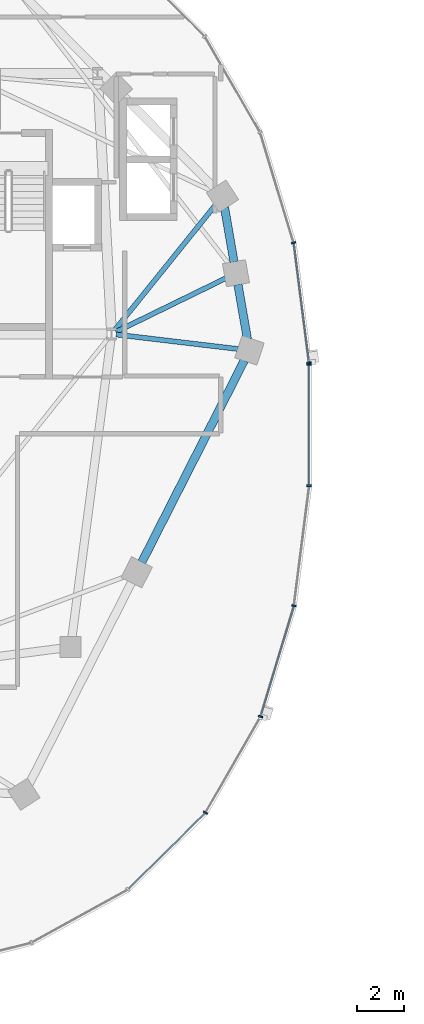
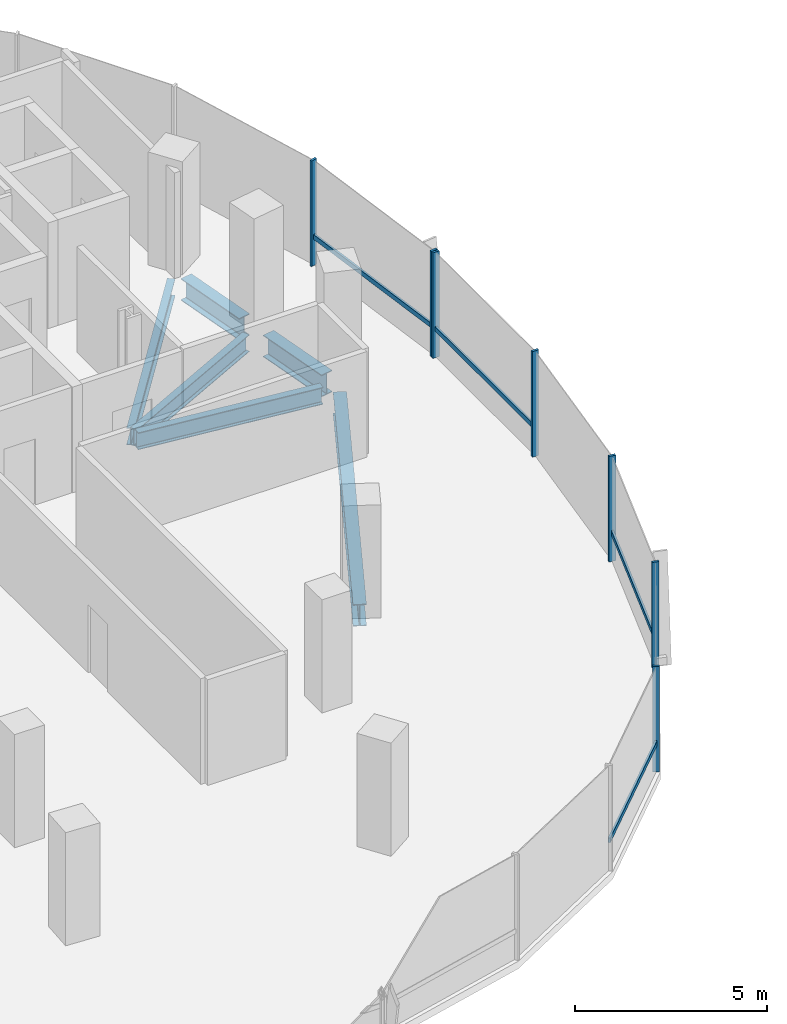
# One storey, part 4 of 21: 11 members, 6 beams, 2 elements without a shape of their own.
"""IFC4 building model written with IfcOpenShell, lengths in metres."""

import ifcopenshell
import ifcopenshell.guid

model = None  # the IFC model being written
_history = None  # IfcOwnerHistory: only IFC2X3 demands one
_inside = {}  # id of a spatial element -> (the spatial element, [elements in it])
_under = {}  # id of a project, library or spatial element -> (it, [spatial elements below it])
_declared = {}  # id of a project -> (the project, [libraries it declares])
_typed = {}  # id of a type object -> (the type object, [elements of that type])
_made_of = {}  # id of a material, layer set ... -> (it, [elements and type objects made of it])


def new_model(schema):
    """Start an empty IFC model of exactly this schema.

    Asked for "IFC4X3", IfcOpenShell would pick the latest addendum, in which some entities
    have other attributes; the version numbers below select the first issue.
    IFC2X3 requires an IfcOwnerHistory on every rooted entity: one is made here for all.
    """
    global model, _history
    if schema == "IFC4X3":
        model = ifcopenshell.file(schema_version=(4, 3, 0, 0))
    else:
        model = ifcopenshell.file(schema=schema)
    _inside.clear()
    _under.clear()
    _declared.clear()
    _typed.clear()
    _made_of.clear()
    _history = None
    if model.schema == "IFC2X3":
        org = make("IfcOrganization", Name="unknown")
        user = make(
            "IfcPersonAndOrganization",
            ThePerson=make("IfcPerson", FamilyName="unknown"),
            TheOrganization=org,
        )
        app = make(
            "IfcApplication",
            ApplicationDeveloper=org,
            Version="unknown",
            ApplicationFullName="unknown",
            ApplicationIdentifier="unknown",
        )
        _history = make(
            "IfcOwnerHistory",
            OwningUser=user,
            OwningApplication=app,
            ChangeAction="ADDED",
            CreationDate=0,
        )
    return model


def make(cls, **values):
    """One entity of the class cls with the attributes given. An attribute that is None is left unset."""
    return model.create_entity(
        cls, **{name: value for name, value in values.items() if value is not None}
    )


def rooted(cls, **values):
    """An entity with a GlobalId (a new one), such as an element, a storey or a relation."""
    return make(cls, GlobalId=ifcopenshell.guid.new(), OwnerHistory=_history, **values)


def si_unit(unit_type, name, prefix=None):
    """IfcSIUnit, for example si_unit("LENGTHUNIT", "METRE", prefix="MILLI")."""
    return make("IfcSIUnit", UnitType=unit_type, Prefix=prefix, Name=name)


def assignment(units):
    """IfcUnitAssignment: the units of a project."""
    return None if units is None else make("IfcUnitAssignment", Units=units)


def point(xyz):
    """IfcCartesianPoint."""
    return None if xyz is None else make("IfcCartesianPoint", Coordinates=xyz)


def direction(xyz):
    """IfcDirection."""
    return None if xyz is None else make("IfcDirection", DirectionRatios=xyz)


def frame(location, z_axis=None, x_axis=None):
    """IfcAxis2Placement3D, a coordinate frame: its origin and axes. An axis left out is left unset."""
    return make(
        "IfcAxis2Placement3D",
        Location=point(location),
        Axis=direction(z_axis),
        RefDirection=direction(x_axis),
    )


def frame_2d(location, x_axis=None):
    """IfcAxis2Placement2D, a coordinate frame in the plane: its origin and x axis."""
    return make(
        "IfcAxis2Placement2D", Location=point(location), RefDirection=direction(x_axis)
    )


def origin():
    """The frame at (0, 0, 0) with its axes left unset."""
    return frame((0.0, 0.0, 0.0))


def origin_2d():
    """The frame at (0, 0) in the plane with its x axis left unset."""
    return frame_2d((0.0, 0.0))


def place(relative_to, where):
    """IfcLocalPlacement: puts the frame where relative to a parent placement (None: the world)."""
    return make(
        "IfcLocalPlacement", PlacementRelTo=relative_to, RelativePlacement=where
    )


def context(
    kind, dimensions, precision=None, world=None, true_north=None, identifier=None
):
    """IfcGeometricRepresentationContext, for example the 3D "Model" context."""
    return make(
        "IfcGeometricRepresentationContext",
        ContextIdentifier=identifier,
        ContextType=kind,
        CoordinateSpaceDimension=dimensions,
        Precision=precision,
        WorldCoordinateSystem=world,
        TrueNorth=true_north,
    )


def subcontext(parent, identifier, kind, view, scale=None):
    """IfcGeometricRepresentationSubContext, for example "Body" below "Model"."""
    return make(
        "IfcGeometricRepresentationSubContext",
        ContextIdentifier=identifier,
        ContextType=kind,
        ParentContext=parent,
        TargetScale=scale,
        TargetView=view,
    )


def project(units=None, contexts=None):
    """IfcProject with its units and contexts."""
    return rooted(
        "IfcProject",
        Name="project",
        RepresentationContexts=contexts,
        UnitsInContext=assignment(units),
    )


def spatial(cls, under=None, at=None, **own):
    """A site, building, storey or space (cls), placed at a placement, below another one or the project."""
    s = rooted(cls, ObjectPlacement=at, **own)
    if under is not None:
        _under.setdefault(under.id(), (under, []))[1].append(s)
    return s


def profile(cls, at=None, kind="AREA", **sizes):
    """A parametric profile (cls). Its sizes go by their IFC names, for example OverallWidth=200.0."""
    return make(cls, ProfileType=kind, Position=at, **sizes)


def rectangle(**sizes):
    """IfcRectangleProfileDef."""
    return profile("IfcRectangleProfileDef", **sizes)


def i_section(**sizes):
    """IfcIShapeProfileDef."""
    return profile("IfcIShapeProfileDef", **sizes)


def extrude(swept, where, along, depth):
    """IfcExtrudedAreaSolid: the profile swept, set in the frame where, extruded along a direction by depth."""
    return make(
        "IfcExtrudedAreaSolid",
        SweptArea=swept,
        Position=where,
        ExtrudedDirection=direction(along),
        Depth=depth,
    )


def shape(context_of_items, identifier, shape_type, items):
    """IfcShapeRepresentation: the items that make up one representation, for example the "Body"."""
    return make(
        "IfcShapeRepresentation",
        ContextOfItems=context_of_items,
        RepresentationIdentifier=identifier,
        RepresentationType=shape_type,
        Items=items,
    )


def material(Name=None, Category=None):
    """IfcMaterial."""
    return make("IfcMaterial", Name=Name, Category=Category)


def material_profile(
    of_material, cross_section, Name=None, Category=None, Priority=None
):
    """IfcMaterialProfile: a cross section and its material."""
    return make(
        "IfcMaterialProfile",
        Name=Name,
        Material=of_material,
        Profile=cross_section,
        Priority=Priority,
        Category=Category,
    )


def profile_set(profiles, Name=None, composite=None):
    """IfcMaterialProfileSet."""
    return make(
        "IfcMaterialProfileSet",
        Name=Name,
        MaterialProfiles=profiles,
        CompositeProfile=composite,
    )


def made_of(thing, what):
    """Note that an element or type object is made of a material, layer set ...; save() writes the relation."""
    if what is not None:
        _made_of.setdefault(what.id(), (what, []))[1].append(thing)
    return thing


def type_object(cls, material=None, **own):
    """A type object (cls), such as IfcWallType, which elements share."""
    return made_of(rooted(cls, **own), material)


def element(
    cls,
    number,
    at=None,
    inside=None,
    cuts=None,
    type_object=None,
    material=None,
    context=None,
    identifier="Body",
    shape_type=None,
    held_by="IfcProductDefinitionShape",
    body=None,
    shapes=None,
    **own,
):
    """One element of the class cls, such as IfcWall. Its Tag is "e" and its number.

    at: its placement. inside: the storey or other place that contains it. cuts: it is an
    opening in that element (IfcRelVoidsElement). A single representation is given by context,
    identifier, shape_type and body (its items); several are given by shapes. held_by: the class
    of the entity that holds the representations. save() writes the other relations.
    """
    e = rooted(cls, Tag="e%d" % number, ObjectPlacement=at, **own)
    if body is not None:
        shapes = [shape(context, identifier, shape_type, body)]
    if shapes is not None:
        e.Representation = make(held_by, Representations=shapes)
    if inside is not None:
        _inside.setdefault(inside.id(), (inside, []))[1].append(e)
    if cuts is not None:
        rooted(
            "IfcRelVoidsElement", RelatingBuildingElement=cuts, RelatedOpeningElement=e
        )
    if type_object is not None:
        _typed.setdefault(type_object.id(), (type_object, []))[1].append(e)
    return made_of(e, material)


def aggregate(whole, parts):
    """IfcRelAggregates: a whole, such as a stair, and the parts it consists of."""
    return rooted("IfcRelAggregates", RelatingObject=whole, RelatedObjects=parts)


def save(model, path):
    """Write the relations noted so far, then the file.

    IfcRelAggregates (storeys below a building ...), IfcRelContainedInSpatialStructure (elements
    in a storey), IfcRelDefinesByType, IfcRelAssociatesMaterial and IfcRelDeclares: one each for
    every whole, place, type object, material and project.
    """
    for whole, parts in _under.values():
        aggregate(whole, parts)
    for where, things in _inside.values():
        rooted(
            "IfcRelContainedInSpatialStructure",
            RelatedElements=things,
            RelatingStructure=where,
        )
    for kind, things in _typed.values():
        rooted("IfcRelDefinesByType", RelatedObjects=things, RelatingType=kind)
    for what, things in _made_of.values():
        rooted("IfcRelAssociatesMaterial", RelatedObjects=things, RelatingMaterial=what)
    for by, libraries in _declared.values():
        rooted("IfcRelDeclares", RelatingContext=by, RelatedDefinitions=libraries)
    model.write(path)


model = new_model("IFC4")

# Units and contexts
model_context = context("Model", 3, precision=1e-05, world=origin(), true_north=direction((0.0, 1.0)))
body_context = subcontext(model_context, "Body", "Model", "MODEL_VIEW")
ifc_project = project(units=[si_unit("LENGTHUNIT", "METRE"), si_unit("AREAUNIT", "SQUARE_METRE"), si_unit("VOLUMEUNIT", "CUBIC_METRE"), si_unit("PLANEANGLEUNIT", "RADIAN"), si_unit("MASSUNIT", "GRAM", prefix="KILO"), si_unit("THERMODYNAMICTEMPERATUREUNIT", "KELVIN"), si_unit("POWERUNIT", "WATT")], contexts=[model_context])

# Site, building, storey
site_placement = place(None, origin())
site = spatial("IfcSite", under=ifc_project, at=site_placement, CompositionType="ELEMENT")
building_placement = place(site_placement, origin())
building = spatial("IfcBuilding", under=site, at=building_placement, Name="Cundina Bronze Exchange", CompositionType="ELEMENT")
storey_placement = place(building_placement, frame((0.0, 0.0, 180.0)))
storey = spatial("IfcBuildingStorey", under=building, at=storey_placement, Name="L47", CompositionType="ELEMENT", Elevation=180.0)

# Beams
ifc_material_1 = material(Name="Steel ASTM A992 Grade 50", Category="steel")
ifc_material_profile_1 = material_profile(ifc_material_1, i_section(OverallWidth=0.2119140625, OverallDepth=0.5439453125, WebThickness=0.01318359375, FlangeThickness=0.021240234375, FilletRadius=0.013916015625, at=origin_2d()), Name="W21X83", Category="steel")
ifc_profile_set_1 = profile_set([ifc_material_profile_1], Name="Steel ASTM A992 Grade 50")
beam_type_1 = type_object("IfcBeamType", Name="BM-FLR-W21A", PredefinedType="BEAM", material=ifc_profile_set_1)
beam_1_placement = place(storey_placement, frame((-21.247314453125, 3.8759765625, -0.511962890625), z_axis=(0.993036158382, -0.11780996624, 0.0), x_axis=(0.11780996624, 0.993036158382, 0.0)))
element("IfcBeam", 1, at=beam_1_placement, inside=storey, type_object=beam_type_1, Name="L47 Leg W Radial Floor Beam 00", PredefinedType="BEAM", context=body_context, shape_type="SweptSolid", body=[
    extrude(i_section(OverallWidth=0.2119140625, OverallDepth=0.5439453125, WebThickness=0.01318359375, FlangeThickness=0.021240234375, FilletRadius=0.013916015625, at=origin_2d()), origin(), (0.0, 0.0, 1.0), 5.249267578125),
])
beam_2_placement = place(storey_placement, frame((-21.2666015625, 3.989501953125, -0.511962890625), z_axis=(0.898604300669, 0.438759969481, 0.0), x_axis=(-0.438759969481, 0.898604300669, 0.0)))
element("IfcBeam", 2, at=beam_2_placement, inside=storey, type_object=beam_type_1, Name="L47 Leg W Radial Floor Beam 01", PredefinedType="BEAM", context=body_context, shape_type="SweptSolid", body=[
    extrude(i_section(OverallWidth=0.2119140625, OverallDepth=0.5439453125, WebThickness=0.01318359375, FlangeThickness=0.021240234375, FilletRadius=0.013916015625, at=origin_2d()), origin(), (0.0, 0.0, 1.0), 5.23388671875),
])
beam_3_placement = place(storey_placement, frame((-21.322021484375, 4.058837890625, -0.511962890625), z_axis=(0.627088684379, 0.778947868553, 0.0), x_axis=(-0.778947868553, 0.627088684379, 0.0)))
element("IfcBeam", 3, at=beam_3_placement, inside=storey, type_object=beam_type_1, Name="L47 Leg W Radial Floor Beam 02", PredefinedType="BEAM", context=body_context, shape_type="SweptSolid", body=[
    extrude(i_section(OverallWidth=0.2119140625, OverallDepth=0.5439453125, WebThickness=0.01318359375, FlangeThickness=0.021240234375, FilletRadius=0.013916015625, at=origin_2d()), origin(), (0.0, 0.0, 1.0), 6.882568359375),
])
ifc_material_profile_2 = material_profile(ifc_material_1, i_section(OverallWidth=0.35498046875, OverallDepth=0.695068359375, WebThickness=0.015380859375, FlangeThickness=0.02490234375, FilletRadius=0.01806640625, at=origin_2d()), Name="W27X146", Category="steel")
ifc_profile_set_2 = profile_set([ifc_material_profile_2], Name="Steel ASTM A992 Grade 50")
beam_type_2 = type_object("IfcBeamType", Name="BM-RING-W27", PredefinedType="USERDEFINED", material=ifc_profile_set_2)
for number, where, z_axis, x_axis, name in (
    (4, (-15.6337890625, 3.680908203125, -0.58740234375), (-0.171666718895, 0.985155083032, 0.0), (-0.985155083032, -0.171666718895, 0.0), "L47 W Perimeter Ring Girder 00"),
    (5, (-16.208740234375, 6.980712890625, -0.58740234375), (-0.171666718895, 0.985155083032, 0.0), (-0.985155083032, -0.171666718895, 0.0), "L47 W Perimeter Ring Girder 01"),
):
    element("IfcBeam", number, at=place(storey_placement, frame(where, z_axis=z_axis, x_axis=x_axis)), inside=storey, type_object=beam_type_2, Name=name, ObjectType="GIRDER", PredefinedType="USERDEFINED", context=body_context, shape_type="SweptSolid", body=[
        extrude(i_section(OverallWidth=0.35498046875, OverallDepth=0.695068359375, WebThickness=0.015380859375, FlangeThickness=0.02490234375, FilletRadius=0.01806640625, at=origin_2d()), origin(), (0.0, 0.0, 1.0), 2.37353515625),
    ])
beam_4_placement = place(storey_placement, frame((-20.154052734375, -5.864990234375, -0.58740234375), z_axis=(0.452834585354, 0.891594548159, 0.0), x_axis=(-0.891594548159, 0.452834585354, 0.0)))
element("IfcBeam", 6, at=beam_4_placement, inside=storey, type_object=beam_type_2, Name="L47 W Perimeter Ring Girder 13", ObjectType="GIRDER", PredefinedType="USERDEFINED", context=body_context, shape_type="SweptSolid", body=[
    extrude(i_section(OverallWidth=0.35498046875, OverallDepth=0.695068359375, WebThickness=0.015380859375, FlangeThickness=0.02490234375, FilletRadius=0.01806640625, at=origin_2d()), origin(), (0.0, 0.0, 1.0), 9.67919921875),
])

# Curtain wall, members
ifc_material_2 = material(Name="Anodised Bronze Aluminium 6063-T6", Category="aluminium")
curtain_wall_type = type_object("IfcCurtainWallType", Name="CWS-WST-PIN", PredefinedType="NOTDEFINED", material=ifc_material_2)
curtain_wall_1_placement = place(storey_placement, origin())
curtain_wall_1 = element("IfcCurtainWall", 7, at=curtain_wall_1_placement, inside=storey, type_object=curtain_wall_type, Name="L47 CW-04 Curtain Wall Run CWR-L47-W1", PredefinedType="NOTDEFINED")
ifc_material_profile_3 = material_profile(ifc_material_2, rectangle(XDim=0.070068359375, YDim=0.18994140625, at=origin_2d()), Name="AL70X190", Category="aluminium")
ifc_profile_set_3 = profile_set([ifc_material_profile_3], Name="Anodised Bronze Aluminium 6063-T6")
member_type_1 = type_object("IfcMemberType", Name="CWM-MUL-190", PredefinedType="MULLION", material=ifc_profile_set_3)
member_1_placement = place(storey_placement, frame((-12.998291015625, 2.676025390625, 0.0), z_axis=(0.0, 0.0, 1.0), x_axis=(-0.126545236492, 0.991960837494, 0.0)))
member_1 = element("IfcMember", 8, at=member_1_placement, type_object=member_type_1, Name="CW-04 Mullion 1", PredefinedType="MULLION", context=body_context, shape_type="SweptSolid", body=[
    extrude(rectangle(XDim=0.070068359375, YDim=0.18994140625, at=origin_2d()), origin(), (0.0, 0.0, 1.0), 3.360107421875),
])
member_2_placement = place(storey_placement, frame((-13.6591796875, 7.80859375, 0.0), z_axis=(0.0, 0.0, 1.0), x_axis=(-0.290034140915, 0.957016299288, 0.0)))
member_2 = element("IfcMember", 9, at=member_2_placement, type_object=member_type_1, Name="CW-04 Mullion 2", PredefinedType="MULLION", context=body_context, shape_type="SweptSolid", body=[
    extrude(rectangle(XDim=0.070068359375, YDim=0.18994140625, at=origin_2d()), origin(), (0.0, 0.0, 1.0), 3.360107421875),
])

curtain_wall_2_placement = place(storey_placement, origin())
curtain_wall_2 = element("IfcCurtainWall", 10, at=curtain_wall_2_placement, inside=storey, type_object=curtain_wall_type, Name="L47 CW-04 Curtain Wall Run CWR-L47-W4", PredefinedType="NOTDEFINED")
member_3_placement = place(storey_placement, frame((-17.42919921875, -16.588134765625, 0.0), z_axis=(0.0, 0.0, 1.0), x_axis=(0.498487739754, 0.866896748936, 0.0)))
member_3 = element("IfcMember", 11, at=member_3_placement, type_object=member_type_1, Name="CW-04 Mullion 4", PredefinedType="MULLION", context=body_context, shape_type="SweptSolid", body=[
    extrude(rectangle(XDim=0.070068359375, YDim=0.18994140625, at=origin_2d()), origin(), (0.0, 0.0, 1.0), 3.360107421875),
])
member_4_placement = place(storey_placement, frame((-15.07373046875, -12.4755859375, 0.0), z_axis=(0.0, 0.0, 1.0), x_axis=(0.290034140915, 0.957016299288, 0.0)))
member_4 = element("IfcMember", 12, at=member_4_placement, type_object=member_type_1, Name="CW-04 Mullion 5", PredefinedType="MULLION", context=body_context, shape_type="SweptSolid", body=[
    extrude(rectangle(XDim=0.070068359375, YDim=0.18994140625, at=origin_2d()), origin(), (0.0, 0.0, 1.0), 3.360107421875),
])
member_5_placement = place(storey_placement, frame((-13.642822265625, -7.731689453125, 0.0), z_axis=(0.0, 0.0, 1.0), x_axis=(0.126545236492, 0.991960837494, 0.0)))
member_5 = element("IfcMember", 13, at=member_5_placement, type_object=member_type_1, Name="CW-04 Mullion 6", PredefinedType="MULLION", context=body_context, shape_type="SweptSolid", body=[
    extrude(rectangle(XDim=0.070068359375, YDim=0.18994140625, at=origin_2d()), origin(), (0.0, 0.0, 1.0), 3.360107421875),
])
member_6_placement = place(storey_placement, frame((-12.992919921875, -2.593017578125, 0.0), z_axis=(0.0, 0.0, 1.0), x_axis=(0.0, 1.0, 0.0)))
member_6 = element("IfcMember", 14, at=member_6_placement, type_object=member_type_1, Name="CW-04 Mullion 7", PredefinedType="MULLION", context=body_context, shape_type="SweptSolid", body=[
    extrude(rectangle(XDim=0.070068359375, YDim=0.18994140625, at=origin_2d()), origin(), (0.0, 0.0, 1.0), 3.360107421875),
])
member_7_placement = place(storey_placement, frame((-12.992919921875, 2.593017578125, 0.0), z_axis=(0.0, 0.0, 1.0), x_axis=(0.0, 1.0, 0.0)))
member_7 = element("IfcMember", 15, at=member_7_placement, type_object=member_type_1, Name="CW-04 End Mullion", PredefinedType="MULLION", context=body_context, shape_type="SweptSolid", body=[
    extrude(rectangle(XDim=0.070068359375, YDim=0.18994140625, at=origin_2d()), origin(), (0.0, 0.0, 1.0), 3.360107421875),
])

# Member
ifc_material_profile_4 = material_profile(ifc_material_2, rectangle(XDim=0.06494140625, YDim=0.14990234375, at=origin_2d()), Name="AL65X150", Category="aluminium")
ifc_profile_set_4 = profile_set([ifc_material_profile_4], Name="Anodised Bronze Aluminium 6063-T6")
member_type_2 = type_object("IfcMemberType", Name="CWM-TRN-150", PredefinedType="USERDEFINED", material=ifc_profile_set_4)
member_8_placement = place(storey_placement, frame((-13.003173828125, 2.71435546875, 0.919921875), z_axis=(-0.12646340362, 0.991971273548, 0.0), x_axis=(-0.991971273548, -0.12646340362, 0.0)))
member_8 = element("IfcMember", 16, at=member_8_placement, type_object=member_type_2, Name="CW-04 Spandrel Transom 1", ObjectType="TRANSOM", PredefinedType="USERDEFINED", context=body_context, shape_type="SweptSolid", body=[
    extrude(rectangle(XDim=0.06494140625, YDim=0.14990234375, at=origin_2d()), origin(), (0.0, 0.0, 1.0), 5.0966796875),
])

aggregate(curtain_wall_1, [member_1, member_8, member_2])

member_9_placement = place(storey_placement, frame((-20.71337890625, -19.839599609375, 0.919921875), z_axis=(0.712005023839, 0.702174370102, 0.0), x_axis=(-0.702174370102, 0.712005023839, 0.0)))
member_9 = element("IfcMember", 17, at=member_9_placement, type_object=member_type_2, Name="CW-04 Spandrel Transom 3", ObjectType="TRANSOM", PredefinedType="USERDEFINED", context=body_context, shape_type="SweptSolid", body=[
    extrude(rectangle(XDim=0.06494140625, YDim=0.14990234375, at=origin_2d()), origin(), (0.0, 0.0, 1.0), 4.594482421875),
])

member_10_placement = place(storey_placement, frame((-15.062744140625, -12.43896484375, 0.919921875), z_axis=(0.290051855969, 0.957010930371, 0.0), x_axis=(-0.957010930371, 0.290051855969, 0.0)))
member_10 = element("IfcMember", 18, at=member_10_placement, type_object=member_type_2, Name="CW-04 Spandrel Transom 5", ObjectType="TRANSOM", PredefinedType="USERDEFINED", context=body_context, shape_type="SweptSolid", body=[
    extrude(rectangle(XDim=0.06494140625, YDim=0.14990234375, at=origin_2d()), origin(), (0.0, 0.0, 1.0), 4.876953125),
])

member_11_placement = place(storey_placement, frame((-12.992919921875, -2.554443359375, 0.919921875), z_axis=(0.0, 1.0, 0.0), x_axis=(-1.0, 0.0, 0.0)))
member_11 = element("IfcMember", 19, at=member_11_placement, type_object=member_type_2, Name="CW-04 Spandrel Transom 7", ObjectType="TRANSOM", PredefinedType="USERDEFINED", context=body_context, shape_type="SweptSolid", body=[
    extrude(rectangle(XDim=0.06494140625, YDim=0.14990234375, at=origin_2d()), origin(), (0.0, 0.0, 1.0), 5.10888671875),
])

aggregate(curtain_wall_2, [member_9, member_3, member_4, member_10, member_5, member_6, member_7, member_11])

save(model, "model.ifc")
